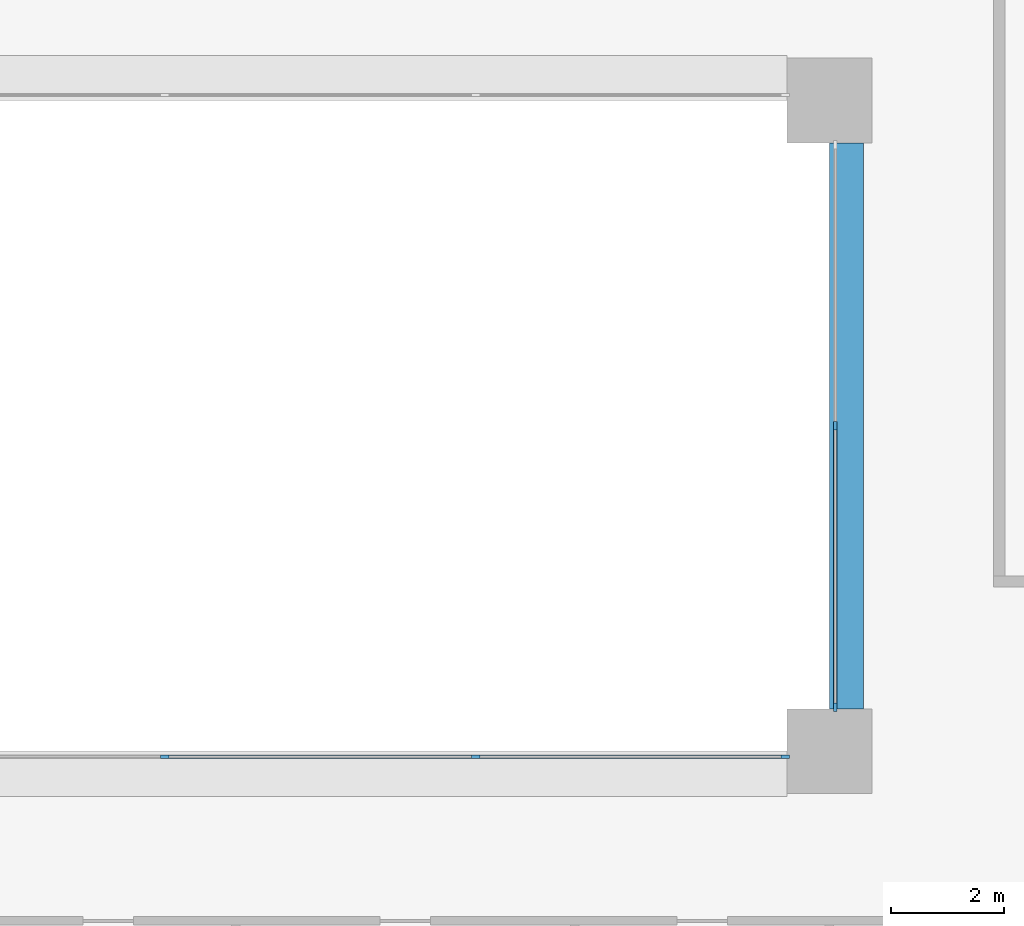
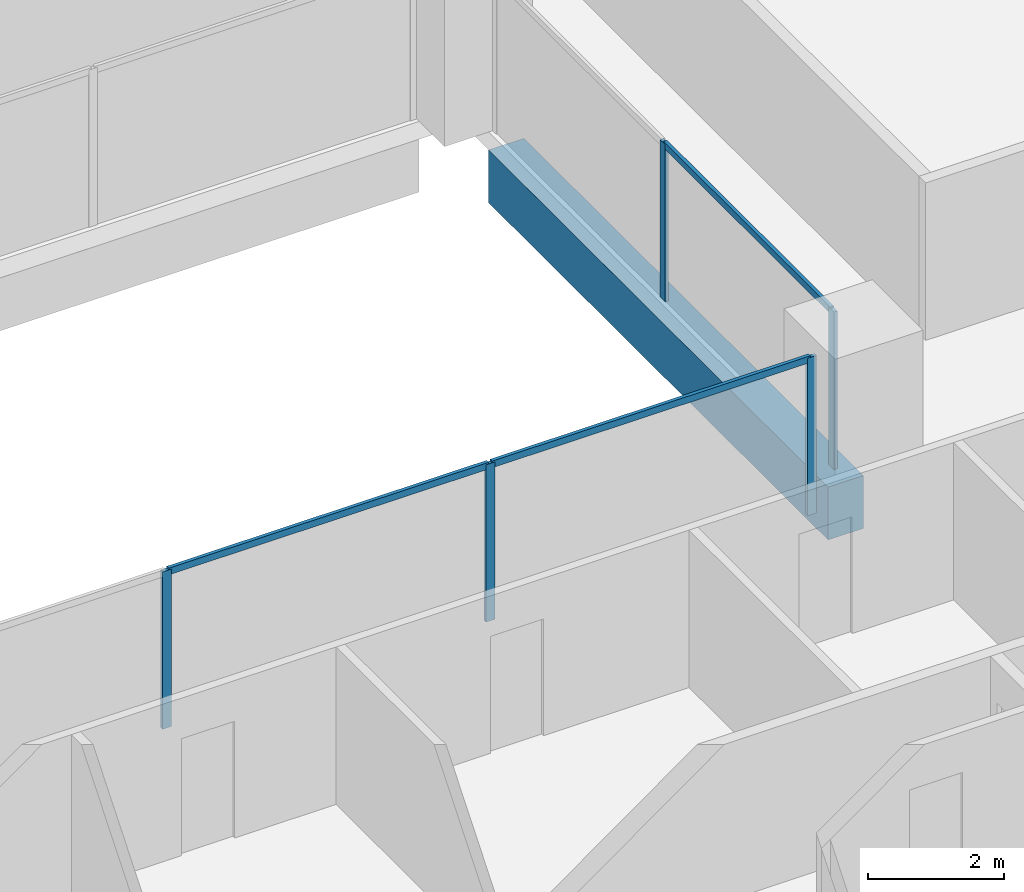
# One storey, part 4 of 21: 8 members, 1 beam, 2 elements without a shape of their own.
"""IFC4 building model written with IfcOpenShell, lengths in metres."""

from ifc_helpers import new_model, si_unit, direction, frame, origin, origin_2d, place, context, subcontext, project, spatial, rectangle, extrude, material, layer, layer_set, material_profile, profile_set, type_object, element, aggregate, save


model = new_model("IFC4")

# Units and contexts
model_context = context("Model", 3, precision=1e-05, world=origin(), true_north=direction((0.0, 1.0)))
body_context = subcontext(model_context, "Body", "Model", "MODEL_VIEW")
ifc_project = project(units=[si_unit("LENGTHUNIT", "METRE"), si_unit("AREAUNIT", "SQUARE_METRE"), si_unit("VOLUMEUNIT", "CUBIC_METRE"), si_unit("PLANEANGLEUNIT", "RADIAN"), si_unit("MASSUNIT", "GRAM", prefix="KILO")], contexts=[model_context])

# Site, building, storey
site_placement = place(None, origin())
site = spatial("IfcSite", under=ifc_project, at=site_placement, CompositionType="ELEMENT")
building_placement = place(site_placement, origin())
building = spatial("IfcBuilding", under=site, at=building_placement, Name="Brigalow Station Residences", CompositionType="ELEMENT")
storey_placement = place(building_placement, frame((0.0, 0.0, 47.85009765625)))
storey = spatial("IfcBuildingStorey", under=building, at=storey_placement, Name="L13", CompositionType="ELEMENT", Elevation=47.85009765625)

# Beam
ifc_material_1 = material(Name="Concrete C65", Category="concrete")
ifc_material_profile_1 = material_profile(ifc_material_1, rectangle(XDim=0.60009765625, YDim=0.949951171875, at=origin_2d()), Name="RC600x950")
ifc_profile_set_1 = profile_set([ifc_material_profile_1], Name="Concrete C65")
beam_type = type_object("IfcBeamType", Name="ATRIUM EDGE GIRDER 600x950 C65", PredefinedType="BEAM", material=ifc_profile_set_1)
beam_placement = place(storey_placement, frame((45.300048828125, 24.75, -0.795166015625), z_axis=(0.0, 1.0, 0.0), x_axis=(-1.0, 0.0, 0.0)))
element("IfcBeam", 1, at=beam_placement, inside=storey, type_object=beam_type, Name="ATRIUM EDGE GIRDER 5 L13", PredefinedType="BEAM", context=body_context, shape_type="SweptSolid", body=[
    extrude(rectangle(XDim=0.60009765625, YDim=0.949951171875, at=origin_2d()), origin(), (0.0, 0.0, 1.0), 10.0),
])

# Curtain wall, members
ifc_material_2 = material(Name="Aluminium", Category="aluminium")
ifc_layer = layer(ifc_material_2, 0.14990234375)
ifc_layer_set = layer_set([ifc_layer], Name="ATRIUM FIRE-RATED GLAZING CURTAIN WALL")
curtain_wall_type = type_object("IfcCurtainWallType", Name="ATRIUM FIRE-RATED GLAZING CURTAIN WALL", PredefinedType="NOTDEFINED", material=ifc_layer_set)
curtain_wall_1_placement = place(storey_placement, origin())
curtain_wall_1 = element("IfcCurtainWall", 2, at=curtain_wall_1_placement, inside=storey, type_object=curtain_wall_type, Name="L13/cw/atrium-S", PredefinedType="NOTDEFINED")
ifc_material_3 = material(Name="Aluminium", Category="aluminium")
ifc_material_profile_2 = material_profile(ifc_material_3, rectangle(XDim=0.06005859375, YDim=0.14990234375, at=origin_2d()), Name="ATRIUM FIRE-RATED GLAZING MULLION 60x150")
ifc_profile_set_2 = profile_set([ifc_material_profile_2], Name="Aluminium")
member_type_1 = type_object("IfcMemberType", Name="ATRIUM FIRE-RATED GLAZING MULLION 60x150", PredefinedType="MULLION", material=ifc_profile_set_2)
member_1_placement = place(storey_placement, frame((33.25, 23.89990234375, 0.0), z_axis=(0.0, 0.0, 1.0), x_axis=(0.0, 1.0, 0.0)))
member_1 = element("IfcMember", 3, at=member_1_placement, type_object=member_type_1, Name="L13/cw/atrium-S/M01", PredefinedType="MULLION", context=body_context, shape_type="SweptSolid", body=[
    extrude(rectangle(XDim=0.06005859375, YDim=0.14990234375, at=origin_2d()), origin(), (0.0, 0.0, 1.0), 2.829833984375),
])
member_2_placement = place(storey_placement, frame((38.75, 23.89990234375, 0.0), z_axis=(0.0, 0.0, 1.0), x_axis=(0.0, 1.0, 0.0)))
member_2 = element("IfcMember", 4, at=member_2_placement, type_object=member_type_1, Name="L13/cw/atrium-S/M02", PredefinedType="MULLION", context=body_context, shape_type="SweptSolid", body=[
    extrude(rectangle(XDim=0.06005859375, YDim=0.14990234375, at=origin_2d()), origin(), (0.0, 0.0, 1.0), 2.829833984375),
])
member_3_placement = place(storey_placement, frame((44.219970703125, 23.89990234375, 0.0), z_axis=(0.0, 0.0, 1.0), x_axis=(0.0, 1.0, 0.0)))
member_3 = element("IfcMember", 5, at=member_3_placement, type_object=member_type_1, Name="L13/cw/atrium-S/M03", PredefinedType="MULLION", context=body_context, shape_type="SweptSolid", body=[
    extrude(rectangle(XDim=0.06005859375, YDim=0.14990234375, at=origin_2d()), origin(), (0.0, 0.0, 1.0), 2.829833984375),
])

curtain_wall_2_placement = place(storey_placement, origin())
curtain_wall_2 = element("IfcCurtainWall", 6, at=curtain_wall_2_placement, inside=storey, type_object=curtain_wall_type, Name="L13/cw/atrium-E", PredefinedType="NOTDEFINED")
member_4_placement = place(storey_placement, frame((45.10009765625, 24.780029296875, 0.0), z_axis=(0.0, 0.0, 1.0), x_axis=(-1.0, 0.0, 0.0)))
member_4 = element("IfcMember", 7, at=member_4_placement, type_object=member_type_1, Name="L13/cw/atrium-E/M00", PredefinedType="MULLION", context=body_context, shape_type="SweptSolid", body=[
    extrude(rectangle(XDim=0.06005859375, YDim=0.14990234375, at=origin_2d()), origin(), (0.0, 0.0, 1.0), 2.829833984375),
])
member_5_placement = place(storey_placement, frame((45.10009765625, 29.75, 0.0), z_axis=(0.0, 0.0, 1.0), x_axis=(-1.0, 0.0, 0.0)))
member_5 = element("IfcMember", 8, at=member_5_placement, type_object=member_type_1, Name="L13/cw/atrium-E/M01", PredefinedType="MULLION", context=body_context, shape_type="SweptSolid", body=[
    extrude(rectangle(XDim=0.06005859375, YDim=0.14990234375, at=origin_2d()), origin(), (0.0, 0.0, 1.0), 2.829833984375),
])

# Member
ifc_material_4 = material(Name="Aluminium", Category="aluminium")
ifc_material_profile_3 = material_profile(ifc_material_4, rectangle(XDim=0.06005859375, YDim=0.1201171875, at=origin_2d()), Name="ATRIUM FIRE-RATED GLAZING TRANSOM 60x120")
ifc_profile_set_3 = profile_set([ifc_material_profile_3], Name="Aluminium")
member_type_2 = type_object("IfcMemberType", Name="ATRIUM FIRE-RATED GLAZING TRANSOM 60x120", PredefinedType="USERDEFINED", material=ifc_profile_set_3)
member_6_placement = place(storey_placement, frame((33.280029296875, 23.89990234375, 2.7998046875), z_axis=(1.0, 0.0, 0.0), x_axis=(0.0, 1.0, 0.0)))
member_6 = element("IfcMember", 9, at=member_6_placement, type_object=member_type_2, Name="L13/cw/atrium-S/T01-00", ObjectType="TRANSOM", PredefinedType="USERDEFINED", context=body_context, shape_type="SweptSolid", body=[
    extrude(rectangle(XDim=0.06005859375, YDim=0.1201171875, at=origin_2d()), origin(), (0.0, 0.0, 1.0), 5.43994140625),
])

member_7_placement = place(storey_placement, frame((38.780029296875, 23.89990234375, 2.7998046875), z_axis=(1.0, 0.0, 0.0), x_axis=(0.0, 1.0, 0.0)))
member_7 = element("IfcMember", 10, at=member_7_placement, type_object=member_type_2, Name="L13/cw/atrium-S/T02-00", ObjectType="TRANSOM", PredefinedType="USERDEFINED", context=body_context, shape_type="SweptSolid", body=[
    extrude(rectangle(XDim=0.06005859375, YDim=0.1201171875, at=origin_2d()), origin(), (0.0, 0.0, 1.0), 5.409912109375),
])

aggregate(curtain_wall_1, [member_1, member_2, member_3, member_6, member_7])

member_8_placement = place(storey_placement, frame((45.10009765625, 24.81005859375, 2.7998046875), z_axis=(0.0, 1.0, 0.0), x_axis=(-1.0, 0.0, 0.0)))
member_8 = element("IfcMember", 11, at=member_8_placement, type_object=member_type_2, Name="L13/cw/atrium-E/T00-00", ObjectType="TRANSOM", PredefinedType="USERDEFINED", context=body_context, shape_type="SweptSolid", body=[
    extrude(rectangle(XDim=0.06005859375, YDim=0.1201171875, at=origin_2d()), origin(), (0.0, 0.0, 1.0), 4.909912109375),
])

aggregate(curtain_wall_2, [member_4, member_5, member_8])

save(model, "model.ifc")
